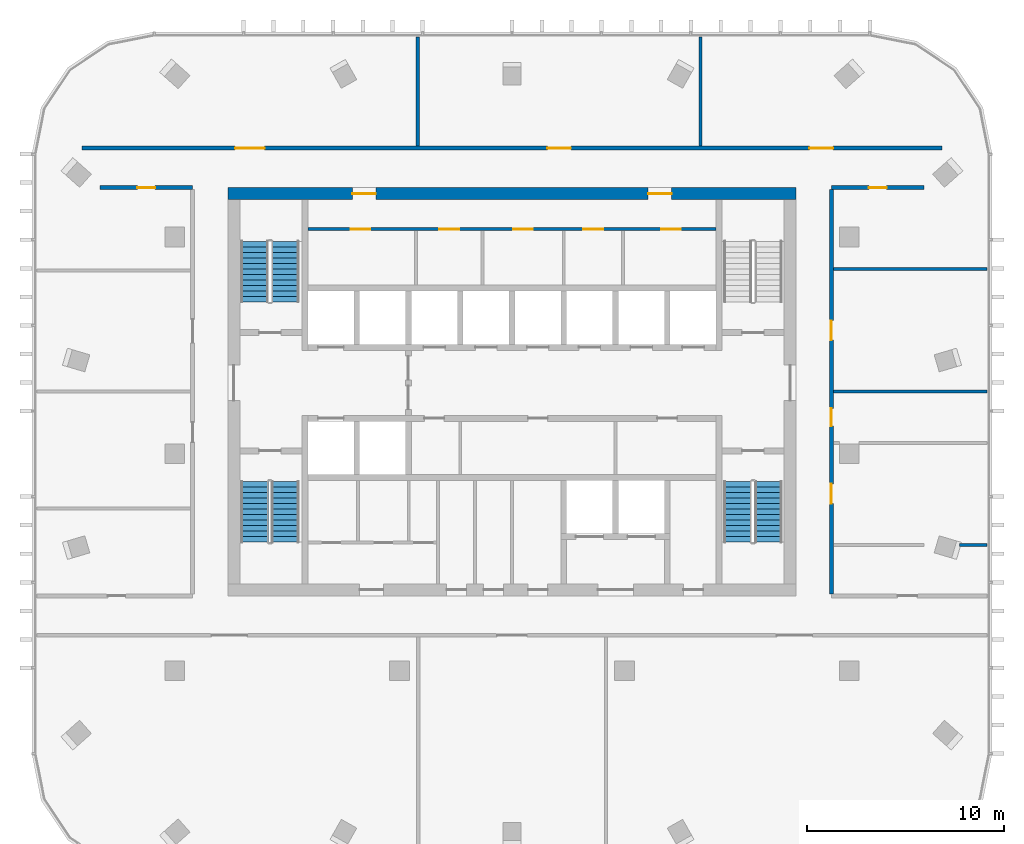
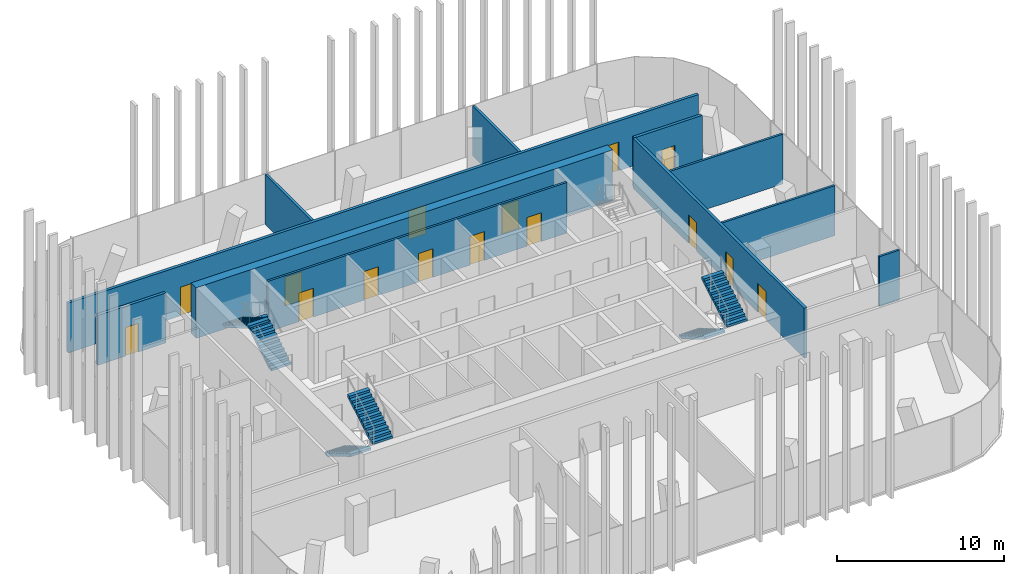
# One storey, part 8 of 13: 15 doors, 11 walls, 6 stair flights, 15 openings, 3 elements without a shape of their own.
"""IFC4 building model written with IfcOpenShell, lengths in metres."""

from ifc_helpers import new_model, si_unit, direction, frame, frame_2d, origin, place, context, subcontext, project, spatial, polyline, rectangle, outline, extrude, material, layer, layer_set, type_object, element, fill, aggregate, save


model = new_model("IFC4")

# Units and contexts
model_context = context("Model", 3, precision=1e-05, world=origin(), true_north=direction((0.0, 1.0)))
body_context = subcontext(model_context, "Body", "Model", "MODEL_VIEW")
ifc_project = project(units=[si_unit("LENGTHUNIT", "METRE"), si_unit("AREAUNIT", "SQUARE_METRE"), si_unit("VOLUMEUNIT", "CUBIC_METRE"), si_unit("PLANEANGLEUNIT", "RADIAN"), si_unit("MASSUNIT", "GRAM", prefix="KILO")], contexts=[model_context])

# Site, building, storey
site_placement = place(None, origin())
site = spatial("IfcSite", under=ifc_project, at=site_placement, CompositionType="ELEMENT")
building_placement = place(site_placement, origin())
building = spatial("IfcBuilding", under=site, at=building_placement, Name="Mopane Tessera Tower", CompositionType="ELEMENT")
storey_placement = place(building_placement, frame((0.0, 0.0, 345.39990234375)))
storey = spatial("IfcBuildingStorey", under=building, at=storey_placement, Name="L75", CompositionType="ELEMENT", Elevation=345.39990234375)

# Wall, openings, doors
ifc_material_1 = material(Name="Fire-rated gypsum board partition")
ifc_layer_1 = layer(ifc_material_1, 0.14990234375)
ifc_layer_set_1 = layer_set([ifc_layer_1], Name="Fire-rated gypsum board partition")
wall_type_1 = type_object("IfcWallType", Name="Core room partition 150 mm", PredefinedType="PARTITIONING", material=ifc_layer_set_1)
wall_1_placement = place(storey_placement, frame((-10.35009765625, 11.39990234375, 0.0), z_axis=(0.0, 0.0, 1.0), x_axis=(1.0, 0.0, 0.0)))
wall_1 = element("IfcWall", 1, at=wall_1_placement, inside=storey, type_object=wall_type_1, Name="L75 Corridor wall", PredefinedType="PARTITIONING", context=body_context, shape_type="SweptSolid", body=[
    extrude(rectangle(XDim=20.7001953125, YDim=0.14990234375, at=frame_2d((10.35009765625, 0.0))), origin(), (0.0, 0.0, 1.0), 3.7001953125),
])
opening_1_placement = place(wall_1_placement, frame((2.16259765625, 0.0, 0.0)))
opening_1 = element("IfcOpeningElement", 2, at=opening_1_placement, cuts=wall_1, Name="Opening RD1", PredefinedType="OPENING", context=body_context, shape_type="SweptSolid", body=[
    extrude(rectangle(XDim=1.0, YDim=2.10009765625, at=frame_2d((0.5, 1.050048828125))), frame((0.0, 0.0869140625, 0.0), z_axis=(0.0, -1.0, 0.0), x_axis=(1.0, 0.0, 0.0)), (0.0, 0.0, 1.0), 0.173828125),
])
opening_2_placement = place(wall_1_placement, frame((6.66259765625, 0.0, 0.0)))
opening_2 = element("IfcOpeningElement", 3, at=opening_2_placement, cuts=wall_1, Name="Opening RD1", PredefinedType="OPENING", context=body_context, shape_type="SweptSolid", body=[
    extrude(rectangle(XDim=1.0, YDim=2.10009765625, at=frame_2d((0.5, 1.050048828125))), frame((0.0, 0.0869140625, 0.0), z_axis=(0.0, -1.0, 0.0), x_axis=(1.0, 0.0, 0.0)), (0.0, 0.0, 1.0), 0.173828125),
])
opening_3_placement = place(wall_1_placement, frame((10.41259765625, 0.0, 0.0)))
opening_3 = element("IfcOpeningElement", 4, at=opening_3_placement, cuts=wall_1, Name="Opening RD1", PredefinedType="OPENING", context=body_context, shape_type="SweptSolid", body=[
    extrude(rectangle(XDim=1.0, YDim=2.10009765625, at=frame_2d((0.5, 1.050048828125))), frame((0.0, 0.0869140625, 0.0), z_axis=(0.0, -1.0, 0.0), x_axis=(1.0, 0.0, 0.0)), (0.0, 0.0, 1.0), 0.173828125),
])
opening_4_placement = place(wall_1_placement, frame((13.97509765625, 0.0, 0.0)))
opening_4 = element("IfcOpeningElement", 5, at=opening_4_placement, cuts=wall_1, Name="Opening RD1", PredefinedType="OPENING", context=body_context, shape_type="SweptSolid", body=[
    extrude(rectangle(XDim=1.0, YDim=2.10009765625, at=frame_2d((0.5, 1.050048828125))), frame((0.0, 0.0869140625, 0.0), z_axis=(0.0, -1.0, 0.0), x_axis=(1.0, 0.0, 0.0)), (0.0, 0.0, 1.0), 0.173828125),
])
opening_5_placement = place(wall_1_placement, frame((17.91259765625, 0.0, 0.0)))
opening_5 = element("IfcOpeningElement", 6, at=opening_5_placement, cuts=wall_1, Name="Opening RD1", PredefinedType="OPENING", context=body_context, shape_type="SweptSolid", body=[
    extrude(rectangle(XDim=1.0, YDim=2.10009765625, at=frame_2d((0.5, 1.050048828125))), frame((0.0, 0.0869140625, 0.0), z_axis=(0.0, -1.0, 0.0), x_axis=(1.0, 0.0, 0.0)), (0.0, 0.0, 1.0), 0.173828125),
])
ifc_material_2 = material(Name="Timber door", Category="wood")
door_type_1 = type_object("IfcDoorType", Name="Core room door 1000 x 2100", OperationType="SINGLE_SWING_LEFT", PredefinedType="DOOR", material=ifc_material_2)
door_1_placement = place(opening_1_placement, origin())
door_1 = element("IfcDoor", 7, at=door_1_placement, inside=storey, type_object=door_type_1, Name="L75 Room door", OperationType="SINGLE_SWING_LEFT", OverallHeight=2.10009765625, OverallWidth=1.0, PredefinedType="DOOR", context=body_context, shape_type="SweptSolid", body=[
    extrude(rectangle(XDim=1.0, YDim=2.10009765625, at=frame_2d((0.5, 1.050048828125))), frame((0.0, 0.02490234375, 0.0), z_axis=(0.0, -1.0, 0.0), x_axis=(1.0, 0.0, 0.0)), (0.0, 0.0, 1.0), 0.050048828125),
])
fill(opening_1, door_1)
door_2_placement = place(opening_2_placement, origin())
door_2 = element("IfcDoor", 8, at=door_2_placement, inside=storey, type_object=door_type_1, Name="L75 Room door", OperationType="SINGLE_SWING_LEFT", OverallHeight=2.10009765625, OverallWidth=1.0, PredefinedType="DOOR", context=body_context, shape_type="SweptSolid", body=[
    extrude(rectangle(XDim=1.0, YDim=2.10009765625, at=frame_2d((0.5, 1.050048828125))), frame((0.0, 0.02490234375, 0.0), z_axis=(0.0, -1.0, 0.0), x_axis=(1.0, 0.0, 0.0)), (0.0, 0.0, 1.0), 0.050048828125),
])
fill(opening_2, door_2)
door_3_placement = place(opening_3_placement, origin())
door_3 = element("IfcDoor", 9, at=door_3_placement, inside=storey, type_object=door_type_1, Name="L75 Room door", OperationType="SINGLE_SWING_LEFT", OverallHeight=2.10009765625, OverallWidth=1.0, PredefinedType="DOOR", context=body_context, shape_type="SweptSolid", body=[
    extrude(rectangle(XDim=1.0, YDim=2.10009765625, at=frame_2d((0.5, 1.050048828125))), frame((0.0, 0.02490234375, 0.0), z_axis=(0.0, -1.0, 0.0), x_axis=(1.0, 0.0, 0.0)), (0.0, 0.0, 1.0), 0.050048828125),
])
fill(opening_3, door_3)
door_4_placement = place(opening_4_placement, origin())
door_4 = element("IfcDoor", 10, at=door_4_placement, inside=storey, type_object=door_type_1, Name="L75 Room door", OperationType="SINGLE_SWING_LEFT", OverallHeight=2.10009765625, OverallWidth=1.0, PredefinedType="DOOR", context=body_context, shape_type="SweptSolid", body=[
    extrude(rectangle(XDim=1.0, YDim=2.10009765625, at=frame_2d((0.5, 1.050048828125))), frame((0.0, 0.02490234375, 0.0), z_axis=(0.0, -1.0, 0.0), x_axis=(1.0, 0.0, 0.0)), (0.0, 0.0, 1.0), 0.050048828125),
])
fill(opening_4, door_4)
door_5_placement = place(opening_5_placement, origin())
door_5 = element("IfcDoor", 11, at=door_5_placement, inside=storey, type_object=door_type_1, Name="L75 Room door", OperationType="SINGLE_SWING_LEFT", OverallHeight=2.10009765625, OverallWidth=1.0, PredefinedType="DOOR", context=body_context, shape_type="SweptSolid", body=[
    extrude(rectangle(XDim=1.0, YDim=2.10009765625, at=frame_2d((0.5, 1.050048828125))), frame((0.0, 0.02490234375, 0.0), z_axis=(0.0, -1.0, 0.0), x_axis=(1.0, 0.0, 0.0)), (0.0, 0.0, 1.0), 0.050048828125),
])
fill(opening_5, door_5)

ifc_material_3 = material(Name="Concrete C70/85", Category="concrete")
ifc_layer_2 = layer(ifc_material_3, 0.60009765625)
ifc_layer_set_2 = layer_set([ifc_layer_2], Name="Concrete C70/85")
wall_type_2 = type_object("IfcWallType", Name="Core shear wall 600 mm", PredefinedType="SHEAR", material=ifc_layer_set_2)
wall_2_placement = place(storey_placement, frame((-14.39990234375, 13.199951171875, 0.0), z_axis=(0.0, 0.0, 1.0), x_axis=(1.0, 0.0, 0.0)))
wall_2 = element("IfcWall", 12, at=wall_2_placement, inside=storey, type_object=wall_type_2, Name="L75 Core wall north", PredefinedType="SHEAR", context=body_context, shape_type="SweptSolid", body=[
    extrude(rectangle(XDim=28.7998046875, YDim=0.60009765625, at=frame_2d((14.39990234375, 0.0))), origin(), (0.0, 0.0, 1.0), 3.7001953125),
])
opening_6_placement = place(wall_2_placement, frame((6.300048828125, 0.0, 0.0)))
opening_6 = element("IfcOpeningElement", 13, at=opening_6_placement, cuts=wall_2, Name="Opening RD2", PredefinedType="OPENING", context=body_context, shape_type="SweptSolid", body=[
    extrude(rectangle(XDim=1.199951171875, YDim=2.10009765625, at=frame_2d((0.60009765625, 1.050048828125))), frame((0.0, 0.31201171875, 0.0), z_axis=(0.0, -1.0, 0.0), x_axis=(1.0, 0.0, 0.0)), (0.0, 0.0, 1.0), 0.6240234375),
])
opening_7_placement = place(wall_2_placement, frame((21.300048828125, 0.0, 0.0)))
opening_7 = element("IfcOpeningElement", 14, at=opening_7_placement, cuts=wall_2, Name="Opening RD2", PredefinedType="OPENING", context=body_context, shape_type="SweptSolid", body=[
    extrude(rectangle(XDim=1.199951171875, YDim=2.10009765625, at=frame_2d((0.60009765625, 1.050048828125))), frame((0.0, 0.31201171875, 0.0), z_axis=(0.0, -1.0, 0.0), x_axis=(1.0, 0.0, 0.0)), (0.0, 0.0, 1.0), 0.6240234375),
])
ifc_material_4 = material(Name="Timber door", Category="wood")
door_type_2 = type_object("IfcDoorType", Name="Core corridor door 1200 x 2100", OperationType="SINGLE_SWING_LEFT", PredefinedType="DOOR", material=ifc_material_4)
door_6_placement = place(opening_6_placement, origin())
door_6 = element("IfcDoor", 15, at=door_6_placement, inside=storey, type_object=door_type_2, Name="L75 Corridor door", OperationType="SINGLE_SWING_LEFT", OverallHeight=2.10009765625, OverallWidth=1.199951171875, PredefinedType="DOOR", context=body_context, shape_type="SweptSolid", body=[
    extrude(rectangle(XDim=1.199951171875, YDim=2.10009765625, at=frame_2d((0.60009765625, 1.050048828125))), frame((0.0, 0.02490234375, 0.0), z_axis=(0.0, -1.0, 0.0), x_axis=(1.0, 0.0, 0.0)), (0.0, 0.0, 1.0), 0.050048828125),
])
fill(opening_6, door_6)
door_7_placement = place(opening_7_placement, origin())
door_7 = element("IfcDoor", 16, at=door_7_placement, inside=storey, type_object=door_type_2, Name="L75 Corridor door", OperationType="SINGLE_SWING_RIGHT", OverallHeight=2.10009765625, OverallWidth=1.199951171875, PredefinedType="DOOR", context=body_context, shape_type="SweptSolid", body=[
    extrude(rectangle(XDim=1.199951171875, YDim=2.10009765625, at=frame_2d((0.60009765625, 1.050048828125))), frame((0.0, 0.02490234375, 0.0), z_axis=(0.0, -1.0, 0.0), x_axis=(1.0, 0.0, 0.0)), (0.0, 0.0, 1.0), 0.050048828125),
])
fill(opening_7, door_7)

# Walls
ifc_material_5 = material(Name="Gypsum board on staggered steel studs, double layer each face, acoustic mineral wool infill", Category="steel")
ifc_layer_3 = layer(ifc_material_5, 0.175048828125)
ifc_layer_set_3 = layer_set([ifc_layer_3], Name="Gypsum board on staggered steel studs, double layer each face, acoustic mineral wool infill")
wall_type_3 = type_object("IfcWallType", Name="Gypsum board acoustic partition 175, rated EI 60", PredefinedType="PARTITIONING", material=ifc_layer_set_3)
for number, where, z_axis, x_axis, name in (
    (17, (-4.780029296875, 15.60009765625, 0.0), (0.0, 0.0, 1.0), (0.0, 1.0, 0.0), "Partition L75:016"),
    (18, (9.56005859375, 15.60009765625, 0.0), (0.0, 0.0, 1.0), (0.0, 1.0, 0.0), "Partition L75:019"),
):
    element("IfcWall", number, at=place(storey_placement, frame(where, z_axis=z_axis, x_axis=x_axis)), inside=storey, type_object=wall_type_3, Name=name, PredefinedType="PARTITIONING", context=body_context, shape_type="SweptSolid", body=[
        extrude(rectangle(XDim=5.5498046875, YDim=0.175048828125, at=frame_2d((2.77490234375, 0.0))), origin(), (0.0, 0.0, 1.0), 3.650146484375),
    ])

# Wall, opening, door
ifc_material_6 = material(Name="Gypsum board on steel studs, two layers each face, mineral wool infill", Category="steel")
ifc_layer_4 = layer(ifc_material_6, 0.199951171875)
ifc_layer_set_4 = layer_set([ifc_layer_4], Name="Gypsum board on steel studs, two layers each face, mineral wool infill")
wall_type_4 = type_object("IfcWallType", Name="Gypsum board corridor wall 200, rated EI 60", PredefinedType="PARTITIONING", material=ifc_layer_set_4)
wall_3_placement = place(storey_placement, frame((-20.89990234375, 13.5, 0.0), z_axis=(0.0, 0.0, 1.0), x_axis=(1.0, 0.0, 0.0)))
wall_3 = element("IfcWall", 19, at=wall_3_placement, inside=storey, type_object=wall_type_4, Name="Partition L75:012", PredefinedType="PARTITIONING", context=body_context, shape_type="SweptSolid", body=[
    extrude(rectangle(XDim=4.699951171875, YDim=0.199951171875, at=frame_2d((2.35009765625, 0.0))), origin(), (0.0, 0.0, 1.0), 3.650146484375),
])
opening_8_placement = place(wall_3_placement, frame((1.89990234375, 0.0, 0.0)))
opening_8 = element("IfcOpeningElement", 20, at=opening_8_placement, cuts=wall_3, Name="Opening L75-05", PredefinedType="OPENING", context=body_context, shape_type="SweptSolid", body=[
    extrude(rectangle(XDim=0.89990234375, YDim=2.10009765625, at=frame_2d((0.449951171875, 1.050048828125))), frame((0.0, 0.112060546875, 0.0), z_axis=(0.0, -1.0, 0.0), x_axis=(1.0, 0.0, 0.0)), (0.0, 0.0, 1.0), 0.223876953125),
])
ifc_material_7 = material(Name="Timber veneered steel-framed fire door", Category="steel")
door_type_3 = type_object("IfcDoorType", Name="Fire door FD60 900 x 2100", OperationType="SINGLE_SWING_LEFT", PredefinedType="DOOR", material=ifc_material_7)
door_8_placement = place(opening_8_placement, origin())
door_8 = element("IfcDoor", 21, at=door_8_placement, inside=storey, type_object=door_type_3, Name="Door L75-05", ObjectType="D10A", OperationType="SINGLE_SWING_LEFT", OverallHeight=2.10009765625, OverallWidth=0.89990234375, PredefinedType="DOOR", context=body_context, shape_type="SweptSolid", body=[
    extrude(rectangle(XDim=0.89990234375, YDim=2.10009765625, at=frame_2d((0.449951171875, 1.050048828125))), frame((0.0, 0.02490234375, 0.0), z_axis=(0.0, -1.0, 0.0), x_axis=(1.0, 0.0, 0.0)), (0.0, 0.0, 1.0), 0.050048828125),
])
fill(opening_8, door_8)

wall_4_placement = place(storey_placement, frame((16.199951171875, 13.5, 0.0), z_axis=(0.0, 0.0, 1.0), x_axis=(1.0, 0.0, 0.0)))
wall_4 = element("IfcWall", 22, at=wall_4_placement, inside=storey, type_object=wall_type_4, Name="Partition L75:013", PredefinedType="PARTITIONING", context=body_context, shape_type="SweptSolid", body=[
    extrude(rectangle(XDim=4.699951171875, YDim=0.199951171875, at=frame_2d((2.35009765625, 0.0))), origin(), (0.0, 0.0, 1.0), 3.650146484375),
])
opening_9_placement = place(wall_4_placement, frame((1.89990234375, 0.0, 0.0)))
opening_9 = element("IfcOpeningElement", 23, at=opening_9_placement, cuts=wall_4, Name="Opening L75-02", PredefinedType="OPENING", context=body_context, shape_type="SweptSolid", body=[
    extrude(rectangle(XDim=0.89990234375, YDim=2.10009765625, at=frame_2d((0.449951171875, 1.050048828125))), frame((0.0, 0.112060546875, 0.0), z_axis=(0.0, -1.0, 0.0), x_axis=(1.0, 0.0, 0.0)), (0.0, 0.0, 1.0), 0.223876953125),
])
door_9_placement = place(opening_9_placement, origin())
door_9 = element("IfcDoor", 24, at=door_9_placement, inside=storey, type_object=door_type_3, Name="Door L75-02", ObjectType="D10A", OperationType="SINGLE_SWING_RIGHT", OverallHeight=2.10009765625, OverallWidth=0.89990234375, PredefinedType="DOOR", context=body_context, shape_type="SweptSolid", body=[
    extrude(rectangle(XDim=0.89990234375, YDim=2.10009765625, at=frame_2d((0.449951171875, 1.050048828125))), frame((0.0, 0.02490234375, 0.0), z_axis=(0.0, -1.0, 0.0), x_axis=(1.0, 0.0, 0.0)), (0.0, 0.0, 1.0), 0.050048828125),
])
fill(opening_9, door_9)

# Wall, openings, doors
wall_5_placement = place(storey_placement, frame((-21.800048828125, 15.5, 0.0), z_axis=(0.0, 0.0, 1.0), x_axis=(1.0, 0.0, 0.0)))
wall_5 = element("IfcWall", 25, at=wall_5_placement, inside=storey, type_object=wall_type_4, Name="Partition L75:014", PredefinedType="PARTITIONING", context=body_context, shape_type="SweptSolid", body=[
    extrude(rectangle(XDim=43.60009765625, YDim=0.199951171875, at=frame_2d((21.800048828125, 0.0))), origin(), (0.0, 0.0, 1.0), 3.650146484375),
])
opening_10_placement = place(wall_5_placement, frame((36.8798828125, 0.0, 0.0)))
opening_10 = element("IfcOpeningElement", 26, at=opening_10_placement, cuts=wall_5, Name="Opening L75-03", PredefinedType="OPENING", context=body_context, shape_type="SweptSolid", body=[
    extrude(rectangle(XDim=1.199951171875, YDim=2.10009765625, at=frame_2d((0.60009765625, 1.050048828125))), frame((0.0, 0.112060546875, 0.0), z_axis=(0.0, -1.0, 0.0), x_axis=(1.0, 0.0, 0.0)), (0.0, 0.0, 1.0), 0.223876953125),
])
opening_11_placement = place(wall_5_placement, frame((7.760009765625, 0.0, 0.0)))
opening_11 = element("IfcOpeningElement", 27, at=opening_11_placement, cuts=wall_5, Name="Opening L75-11", PredefinedType="OPENING", context=body_context, shape_type="SweptSolid", body=[
    extrude(rectangle(XDim=1.5, YDim=2.10009765625, at=frame_2d((0.75, 1.050048828125))), frame((0.0, 0.112060546875, 0.0), z_axis=(0.0, -1.0, 0.0), x_axis=(1.0, 0.0, 0.0)), (0.0, 0.0, 1.0), 0.223876953125),
])
opening_12_placement = place(wall_5_placement, frame((23.590087890625, 0.0, 0.0)))
opening_12 = element("IfcOpeningElement", 28, at=opening_12_placement, cuts=wall_5, Name="Opening L75-14", PredefinedType="OPENING", context=body_context, shape_type="SweptSolid", body=[
    extrude(rectangle(XDim=1.199951171875, YDim=2.10009765625, at=frame_2d((0.60009765625, 1.050048828125))), frame((0.0, 0.112060546875, 0.0), z_axis=(0.0, -1.0, 0.0), x_axis=(1.0, 0.0, 0.0)), (0.0, 0.0, 1.0), 0.223876953125),
])
ifc_material_8 = material(Name="Timber veneered steel-framed fire door", Category="steel")
door_type_4 = type_object("IfcDoorType", Name="Fire door FD60 1200 x 2100", OperationType="SINGLE_SWING_LEFT", PredefinedType="DOOR", material=ifc_material_8)
door_10_placement = place(opening_10_placement, origin())
door_10 = element("IfcDoor", 29, at=door_10_placement, inside=storey, type_object=door_type_4, Name="Door L75-03", ObjectType="D15A", OperationType="SINGLE_SWING_RIGHT", OverallHeight=2.10009765625, OverallWidth=1.199951171875, PredefinedType="DOOR", context=body_context, shape_type="SweptSolid", body=[
    extrude(rectangle(XDim=1.199951171875, YDim=2.10009765625, at=frame_2d((0.60009765625, 1.050048828125))), frame((0.0, 0.02490234375, 0.0), z_axis=(0.0, -1.0, 0.0), x_axis=(1.0, 0.0, 0.0)), (0.0, 0.0, 1.0), 0.050048828125),
])
fill(opening_10, door_10)
door_11_placement = place(opening_12_placement, origin())
door_11 = element("IfcDoor", 30, at=door_11_placement, inside=storey, type_object=door_type_4, Name="Door L75-14", ObjectType="D15A", OperationType="SINGLE_SWING_LEFT", OverallHeight=2.10009765625, OverallWidth=1.199951171875, PredefinedType="DOOR", context=body_context, shape_type="SweptSolid", body=[
    extrude(rectangle(XDim=1.199951171875, YDim=2.10009765625, at=frame_2d((0.60009765625, 1.050048828125))), frame((0.0, 0.02490234375, 0.0), z_axis=(0.0, -1.0, 0.0), x_axis=(1.0, 0.0, 0.0)), (0.0, 0.0, 1.0), 0.050048828125),
])
fill(opening_12, door_11)
ifc_material_9 = material(Name="Timber veneered steel-framed fire door", Category="steel")
door_type_5 = type_object("IfcDoorType", Name="Fire door pair FD60 1500 x 2100", OperationType="DOUBLE_DOOR_SINGLE_SWING", PredefinedType="DOOR", material=ifc_material_9)
door_12_placement = place(opening_11_placement, origin())
door_12 = element("IfcDoor", 31, at=door_12_placement, inside=storey, type_object=door_type_5, Name="Door L75-11", ObjectType="D17A", OperationType="DOUBLE_DOOR_SINGLE_SWING", OverallHeight=2.10009765625, OverallWidth=1.5, PredefinedType="DOOR", context=body_context, shape_type="SweptSolid", body=[
    extrude(rectangle(XDim=1.5, YDim=2.10009765625, at=frame_2d((0.75, 1.050048828125))), frame((0.0, 0.02490234375, 0.0), z_axis=(0.0, -1.0, 0.0), x_axis=(1.0, 0.0, 0.0)), (0.0, 0.0, 1.0), 0.050048828125),
])
fill(opening_11, door_12)

wall_6_placement = place(storey_placement, frame((16.199951171875, -7.10009765625, 0.0), z_axis=(0.0, 0.0, 1.0), x_axis=(0.0, 1.0, 0.0)))
wall_6 = element("IfcWall", 32, at=wall_6_placement, inside=storey, type_object=wall_type_4, Name="Partition L75:020", PredefinedType="PARTITIONING", context=body_context, shape_type="SweptSolid", body=[
    extrude(rectangle(XDim=20.5, YDim=0.199951171875, at=frame_2d((10.25, 0.0))), origin(), (0.0, 0.0, 1.0), 3.650146484375),
])
opening_13_placement = place(wall_6_placement, frame((8.5048828125, 0.0, 0.0)))
opening_13 = element("IfcOpeningElement", 33, at=opening_13_placement, cuts=wall_6, Name="Opening L75-06", PredefinedType="OPENING", context=body_context, shape_type="SweptSolid", body=[
    extrude(rectangle(XDim=0.89990234375, YDim=2.10009765625, at=frame_2d((0.449951171875, 1.050048828125))), frame((0.0, 0.112060546875, 0.0), z_axis=(0.0, -1.0, 0.0), x_axis=(1.0, 0.0, 0.0)), (0.0, 0.0, 1.0), 0.223876953125),
])
opening_14_placement = place(wall_6_placement, frame((12.860107421875, 0.0, 0.0)))
opening_14 = element("IfcOpeningElement", 34, at=opening_14_placement, cuts=wall_6, Name="Opening L75-09", PredefinedType="OPENING", context=body_context, shape_type="SweptSolid", body=[
    extrude(rectangle(XDim=1.0, YDim=2.10009765625, at=frame_2d((0.5, 1.050048828125))), frame((0.0, 0.112060546875, 0.0), z_axis=(0.0, -1.0, 0.0), x_axis=(1.0, 0.0, 0.0)), (0.0, 0.0, 1.0), 0.223876953125),
])
opening_15_placement = place(wall_6_placement, frame((4.572509765625, 0.0, 0.0)))
opening_15 = element("IfcOpeningElement", 35, at=opening_15_placement, cuts=wall_6, Name="Opening L75-15", PredefinedType="OPENING", context=body_context, shape_type="SweptSolid", body=[
    extrude(rectangle(XDim=1.0, YDim=2.10009765625, at=frame_2d((0.5, 1.050048828125))), frame((0.0, 0.112060546875, 0.0), z_axis=(0.0, -1.0, 0.0), x_axis=(1.0, 0.0, 0.0)), (0.0, 0.0, 1.0), 0.223876953125),
])
ifc_material_10 = material(Name="Timber veneered steel-framed fire door", Category="steel")
door_type_6 = type_object("IfcDoorType", Name="Fire door FD60 1000 x 2100", OperationType="SINGLE_SWING_LEFT", PredefinedType="DOOR", material=ifc_material_10)
door_13_placement = place(opening_14_placement, origin())
door_13 = element("IfcDoor", 36, at=door_13_placement, inside=storey, type_object=door_type_6, Name="Door L75-09", ObjectType="D12A", OperationType="SINGLE_SWING_LEFT", OverallHeight=2.10009765625, OverallWidth=1.0, PredefinedType="DOOR", context=body_context, shape_type="SweptSolid", body=[
    extrude(rectangle(XDim=1.0, YDim=2.10009765625, at=frame_2d((0.5, 1.050048828125))), frame((0.0, 0.02490234375, 0.0), z_axis=(0.0, -1.0, 0.0), x_axis=(1.0, 0.0, 0.0)), (0.0, 0.0, 1.0), 0.050048828125),
])
fill(opening_14, door_13)
door_14_placement = place(opening_15_placement, origin())
door_14 = element("IfcDoor", 37, at=door_14_placement, inside=storey, type_object=door_type_6, Name="Door L75-15", ObjectType="D12A", OperationType="SINGLE_SWING_LEFT", OverallHeight=2.10009765625, OverallWidth=1.0, PredefinedType="DOOR", context=body_context, shape_type="SweptSolid", body=[
    extrude(rectangle(XDim=1.0, YDim=2.10009765625, at=frame_2d((0.5, 1.050048828125))), frame((0.0, 0.02490234375, 0.0), z_axis=(0.0, -1.0, 0.0), x_axis=(1.0, 0.0, 0.0)), (0.0, 0.0, 1.0), 0.050048828125),
])
fill(opening_15, door_14)
door_15_placement = place(opening_13_placement, origin())
door_15 = element("IfcDoor", 38, at=door_15_placement, inside=storey, type_object=door_type_3, Name="Door L75-06", ObjectType="D10A", OperationType="SINGLE_SWING_RIGHT", OverallHeight=2.10009765625, OverallWidth=0.89990234375, PredefinedType="DOOR", context=body_context, shape_type="SweptSolid", body=[
    extrude(rectangle(XDim=0.89990234375, YDim=2.10009765625, at=frame_2d((0.449951171875, 1.050048828125))), frame((0.0, 0.02490234375, 0.0), z_axis=(0.0, -1.0, 0.0), x_axis=(1.0, 0.0, 0.0)), (0.0, 0.0, 1.0), 0.050048828125),
])
fill(opening_13, door_15)

# Walls
ifc_material_11 = material(Name="Gypsum board on steel studs, mineral wool infill", Category="steel")
ifc_layer_5 = layer(ifc_material_11, 0.14990234375)
ifc_layer_set_5 = layer_set([ifc_layer_5], Name="Gypsum board on steel studs, mineral wool infill")
wall_type_5 = type_object("IfcWallType", Name="Gypsum board partition 150, rated EI 60", PredefinedType="PARTITIONING", material=ifc_layer_set_5)
wall_7_placement = place(storey_placement, frame((22.699951171875, -4.614990234375, 0.0), z_axis=(0.0, 0.0, 1.0), x_axis=(1.0, 0.0, 0.0)))
element("IfcWall", 39, at=wall_7_placement, inside=storey, type_object=wall_type_5, Name="Partition L75:004", PredefinedType="PARTITIONING", context=body_context, shape_type="SweptSolid", body=[
    extrude(rectangle(XDim=1.400146484375, YDim=0.14990234375, at=frame_2d((0.7001953125, 0.0))), origin(), (0.0, 0.0, 1.0), 3.650146484375),
])
for number, where, z_axis, x_axis, name in (
    (40, (16.300048828125, 3.14990234375, 0.0), (0.0, 0.0, 1.0), (1.0, 0.0, 0.0), "Partition L75:009"),
    (41, (16.300048828125, 9.3701171875, 0.0), (0.0, 0.0, 1.0), (1.0, 0.0, 0.0), "Partition L75:011"),
):
    element("IfcWall", number, at=place(storey_placement, frame(where, z_axis=z_axis, x_axis=x_axis)), inside=storey, type_object=wall_type_5, Name=name, PredefinedType="PARTITIONING", context=body_context, shape_type="SweptSolid", body=[
        extrude(rectangle(XDim=7.800048828125, YDim=0.14990234375, at=frame_2d((3.89990234375, 0.0))), origin(), (0.0, 0.0, 1.0), 3.650146484375),
    ])

# Stair, stair flights
ifc_material_12 = material(Name="Concrete C50/60", Category="concrete")
stair_type = type_object("IfcStairType", Name="Escape stair 1400 mm, riser 167 mm", PredefinedType="HALF_TURN_STAIR", material=ifc_material_12)
stair_1_placement = place(storey_placement, origin())
stair_1 = element("IfcStair", 42, at=stair_1_placement, inside=storey, type_object=stair_type, Name="L75 Escape stair south-west", PredefinedType="HALF_TURN_STAIR")
ifc_material_13 = material(Name="Concrete C50/60", Category="concrete")
stair_flight_type = type_object("IfcStairFlightType", Name="Escape stair flight 1400 mm", PredefinedType="STRAIGHT", material=ifc_material_13)
stair_flight_1_placement = place(storey_placement, frame((-13.050048828125, -1.39990234375, 0.0), z_axis=(0.0, 0.0, 1.0), x_axis=(0.0, -1.0, 0.0)))
stair_flight_1 = element("IfcStairFlight", 43, at=stair_flight_1_placement, type_object=stair_flight_type, Name="ST1 flight 1", NumberOfRisers=12, NumberOfTreads=11, PredefinedType="STRAIGHT", RiserHeight=0.166666667, TreadLength=0.28, context=body_context, shape_type="SweptSolid", body=[
    extrude(outline(polyline([(0.0, 0.0), (0.0, 0.166748046875), (0.280029296875, 0.166748046875), (0.280029296875, 0.333251953125), (0.56005859375, 0.333251953125), (0.56005859375, 0.5), (0.840087890625, 0.5), (0.840087890625, 0.666748046875), (1.1201171875, 0.666748046875), (1.1201171875, 0.833251953125), (1.39990234375, 0.833251953125), (1.39990234375, 1.0), (1.679931640625, 1.0), (1.679931640625, 1.166748046875), (1.9599609375, 1.166748046875), (1.9599609375, 1.333251953125), (2.239990234375, 1.333251953125), (2.239990234375, 1.5), (2.52001953125, 1.5), (2.52001953125, 1.666748046875), (2.800048828125, 1.666748046875), (2.800048828125, 1.833251953125), (3.080078125, 1.833251953125), (3.080078125, 2.0), (3.080078125, 1.658935546875), (0.29296875, 0.0), (0.0, 0.0)])), frame((0.0, 0.699951171875, 0.0), z_axis=(0.0, -1.0, 0.0), x_axis=(1.0, 0.0, 0.0)), (0.0, 0.0, 1.0), 1.39990234375),
])
stair_flight_2_placement = place(storey_placement, frame((-11.5, -4.47998046875, 2.0), z_axis=(0.0, 0.0, 1.0), x_axis=(0.0, 1.0, 0.0)))
stair_flight_2 = element("IfcStairFlight", 44, at=stair_flight_2_placement, type_object=stair_flight_type, Name="ST1 flight 2", NumberOfRisers=12, NumberOfTreads=11, PredefinedType="STRAIGHT", RiserHeight=0.166666667, TreadLength=0.28, context=body_context, shape_type="SweptSolid", body=[
    extrude(outline(polyline([(0.0, 0.0), (0.0, 0.166748046875), (0.280029296875, 0.166748046875), (0.280029296875, 0.333251953125), (0.56005859375, 0.333251953125), (0.56005859375, 0.5), (0.840087890625, 0.5), (0.840087890625, 0.666748046875), (1.1201171875, 0.666748046875), (1.1201171875, 0.833251953125), (1.39990234375, 0.833251953125), (1.39990234375, 1.0), (1.679931640625, 1.0), (1.679931640625, 1.166748046875), (1.9599609375, 1.166748046875), (1.9599609375, 1.333251953125), (2.239990234375, 1.333251953125), (2.239990234375, 1.5), (2.52001953125, 1.5), (2.52001953125, 1.666748046875), (2.800048828125, 1.666748046875), (2.800048828125, 1.833251953125), (3.080078125, 1.833251953125), (3.080078125, 2.0), (3.080078125, 1.658935546875), (0.29296875, 0.0), (0.0, 0.0)])), frame((0.0, 0.699951171875, 0.0), z_axis=(0.0, -1.0, 0.0), x_axis=(1.0, 0.0, 0.0)), (0.0, 0.0, 1.0), 1.39990234375),
])
aggregate(stair_1, [stair_flight_1, stair_flight_2])

stair_2_placement = place(storey_placement, origin())
stair_2 = element("IfcStair", 45, at=stair_2_placement, inside=storey, type_object=stair_type, Name="L75 Escape stair north-west", PredefinedType="HALF_TURN_STAIR")
stair_flight_3_placement = place(storey_placement, frame((-11.5, 7.699951171875, 0.0), z_axis=(0.0, 0.0, 1.0), x_axis=(0.0, 1.0, 0.0)))
stair_flight_3 = element("IfcStairFlight", 46, at=stair_flight_3_placement, type_object=stair_flight_type, Name="ST2 flight 1", NumberOfRisers=12, NumberOfTreads=11, PredefinedType="STRAIGHT", RiserHeight=0.166666667, TreadLength=0.28, context=body_context, shape_type="SweptSolid", body=[
    extrude(outline(polyline([(0.0, 0.0), (0.0, 0.166748046875), (0.280029296875, 0.166748046875), (0.280029296875, 0.333251953125), (0.56005859375, 0.333251953125), (0.56005859375, 0.5), (0.840087890625, 0.5), (0.840087890625, 0.666748046875), (1.1201171875, 0.666748046875), (1.1201171875, 0.833251953125), (1.39990234375, 0.833251953125), (1.39990234375, 1.0), (1.679931640625, 1.0), (1.679931640625, 1.166748046875), (1.9599609375, 1.166748046875), (1.9599609375, 1.333251953125), (2.239990234375, 1.333251953125), (2.239990234375, 1.5), (2.52001953125, 1.5), (2.52001953125, 1.666748046875), (2.800048828125, 1.666748046875), (2.800048828125, 1.833251953125), (3.080078125, 1.833251953125), (3.080078125, 2.0), (3.080078125, 1.658935546875), (0.29296875, 0.0), (0.0, 0.0)])), frame((0.0, 0.699951171875, 0.0), z_axis=(0.0, -1.0, 0.0), x_axis=(1.0, 0.0, 0.0)), (0.0, 0.0, 1.0), 1.39990234375),
])
stair_flight_4_placement = place(storey_placement, frame((-13.050048828125, 10.780029296875, 2.0), z_axis=(0.0, 0.0, 1.0), x_axis=(0.0, -1.0, 0.0)))
stair_flight_4 = element("IfcStairFlight", 47, at=stair_flight_4_placement, type_object=stair_flight_type, Name="ST2 flight 2", NumberOfRisers=12, NumberOfTreads=11, PredefinedType="STRAIGHT", RiserHeight=0.166666667, TreadLength=0.28, context=body_context, shape_type="SweptSolid", body=[
    extrude(outline(polyline([(0.0, 0.0), (0.0, 0.166748046875), (0.280029296875, 0.166748046875), (0.280029296875, 0.333251953125), (0.56005859375, 0.333251953125), (0.56005859375, 0.5), (0.840087890625, 0.5), (0.840087890625, 0.666748046875), (1.1201171875, 0.666748046875), (1.1201171875, 0.833251953125), (1.39990234375, 0.833251953125), (1.39990234375, 1.0), (1.679931640625, 1.0), (1.679931640625, 1.166748046875), (1.9599609375, 1.166748046875), (1.9599609375, 1.333251953125), (2.239990234375, 1.333251953125), (2.239990234375, 1.5), (2.52001953125, 1.5), (2.52001953125, 1.666748046875), (2.800048828125, 1.666748046875), (2.800048828125, 1.833251953125), (3.080078125, 1.833251953125), (3.080078125, 2.0), (3.080078125, 1.658935546875), (0.29296875, 0.0), (0.0, 0.0)])), frame((0.0, 0.699951171875, 0.0), z_axis=(0.0, -1.0, 0.0), x_axis=(1.0, 0.0, 0.0)), (0.0, 0.0, 1.0), 1.39990234375),
])
aggregate(stair_2, [stair_flight_3, stair_flight_4])

stair_3_placement = place(storey_placement, origin())
stair_3 = element("IfcStair", 48, at=stair_3_placement, inside=storey, type_object=stair_type, Name="L75 Escape stair south-east", PredefinedType="HALF_TURN_STAIR")
stair_flight_5_placement = place(storey_placement, frame((11.449951171875, -1.39990234375, 0.0), z_axis=(0.0, 0.0, 1.0), x_axis=(0.0, -1.0, 0.0)))
stair_flight_5 = element("IfcStairFlight", 49, at=stair_flight_5_placement, type_object=stair_flight_type, Name="ST3 flight 1", NumberOfRisers=12, NumberOfTreads=11, PredefinedType="STRAIGHT", RiserHeight=0.166666667, TreadLength=0.28, context=body_context, shape_type="SweptSolid", body=[
    extrude(outline(polyline([(0.0, 0.0), (0.0, 0.166748046875), (0.280029296875, 0.166748046875), (0.280029296875, 0.333251953125), (0.56005859375, 0.333251953125), (0.56005859375, 0.5), (0.840087890625, 0.5), (0.840087890625, 0.666748046875), (1.1201171875, 0.666748046875), (1.1201171875, 0.833251953125), (1.39990234375, 0.833251953125), (1.39990234375, 1.0), (1.679931640625, 1.0), (1.679931640625, 1.166748046875), (1.9599609375, 1.166748046875), (1.9599609375, 1.333251953125), (2.239990234375, 1.333251953125), (2.239990234375, 1.5), (2.52001953125, 1.5), (2.52001953125, 1.666748046875), (2.800048828125, 1.666748046875), (2.800048828125, 1.833251953125), (3.080078125, 1.833251953125), (3.080078125, 2.0), (3.080078125, 1.658935546875), (0.29296875, 0.0), (0.0, 0.0)])), frame((0.0, 0.699951171875, 0.0), z_axis=(0.0, -1.0, 0.0), x_axis=(1.0, 0.0, 0.0)), (0.0, 0.0, 1.0), 1.39990234375),
])
stair_flight_6_placement = place(storey_placement, frame((13.0, -4.47998046875, 2.0), z_axis=(0.0, 0.0, 1.0), x_axis=(0.0, 1.0, 0.0)))
stair_flight_6 = element("IfcStairFlight", 50, at=stair_flight_6_placement, type_object=stair_flight_type, Name="ST3 flight 2", NumberOfRisers=12, NumberOfTreads=11, PredefinedType="STRAIGHT", RiserHeight=0.166666667, TreadLength=0.28, context=body_context, shape_type="SweptSolid", body=[
    extrude(outline(polyline([(0.0, 0.0), (0.0, 0.166748046875), (0.280029296875, 0.166748046875), (0.280029296875, 0.333251953125), (0.56005859375, 0.333251953125), (0.56005859375, 0.5), (0.840087890625, 0.5), (0.840087890625, 0.666748046875), (1.1201171875, 0.666748046875), (1.1201171875, 0.833251953125), (1.39990234375, 0.833251953125), (1.39990234375, 1.0), (1.679931640625, 1.0), (1.679931640625, 1.166748046875), (1.9599609375, 1.166748046875), (1.9599609375, 1.333251953125), (2.239990234375, 1.333251953125), (2.239990234375, 1.5), (2.52001953125, 1.5), (2.52001953125, 1.666748046875), (2.800048828125, 1.666748046875), (2.800048828125, 1.833251953125), (3.080078125, 1.833251953125), (3.080078125, 2.0), (3.080078125, 1.658935546875), (0.29296875, 0.0), (0.0, 0.0)])), frame((0.0, 0.699951171875, 0.0), z_axis=(0.0, -1.0, 0.0), x_axis=(1.0, 0.0, 0.0)), (0.0, 0.0, 1.0), 1.39990234375),
])
aggregate(stair_3, [stair_flight_5, stair_flight_6])

save(model, "model.ifc")
